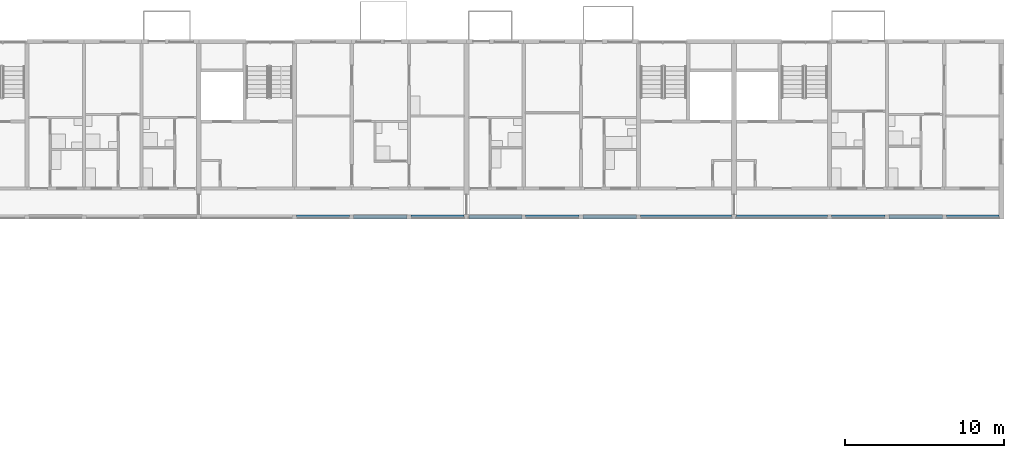
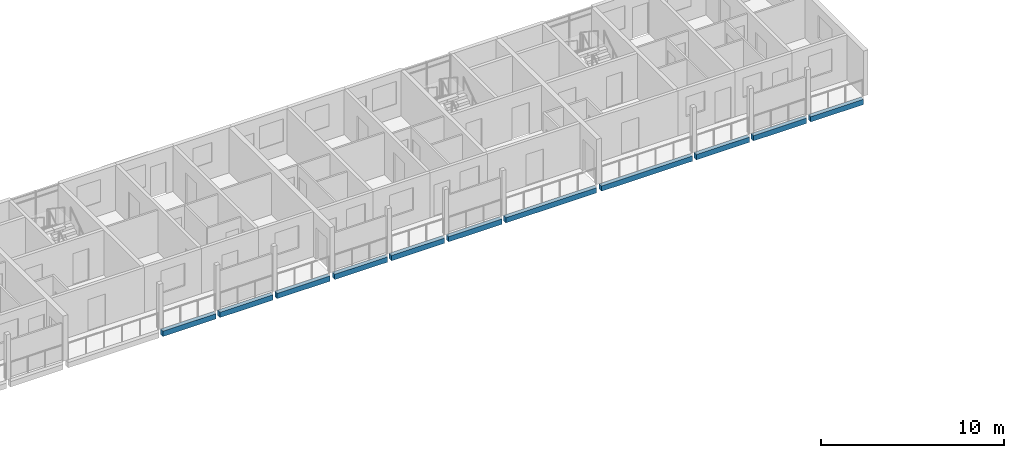
# One storey, part 18 of 93: 11 beams.
"""IFC4 building model written with IfcOpenShell, lengths in metres."""

from ifc_helpers import new_model, si_unit, direction, frame, origin, origin_2d, place, context, subcontext, project, spatial, rectangle, extrude, material, material_profile, profile_set, type_object, element, save


model = new_model("IFC4")

# Units and contexts
model_context = context("Model", 3, precision=1e-05, world=origin(), true_north=direction((0.0, 1.0)))
body_context = subcontext(model_context, "Body", "Model", "MODEL_VIEW")
ifc_project = project(units=[si_unit("LENGTHUNIT", "METRE"), si_unit("AREAUNIT", "SQUARE_METRE"), si_unit("VOLUMEUNIT", "CUBIC_METRE"), si_unit("PLANEANGLEUNIT", "RADIAN"), si_unit("MASSUNIT", "GRAM", prefix="KILO")], contexts=[model_context])

# Site, building, storey
site_placement = place(None, origin())
site = spatial("IfcSite", under=ifc_project, at=site_placement, CompositionType="ELEMENT")
building_placement = place(site_placement, origin())
building = spatial("IfcBuilding", under=site, at=building_placement, Name="Ridgestep Commons", CompositionType="ELEMENT")
storey_placement = place(building_placement, frame((0.0, 0.0, 18.0)))
storey = spatial("IfcBuildingStorey", under=building, at=storey_placement, Name="L06", CompositionType="ELEMENT", Elevation=18.0)

# Beams
ifc_material = material(Name="Precast concrete C40/50", Category="concrete")
ifc_material_profile = material_profile(ifc_material, rectangle(XDim=0.25, YDim=0.35009765625, at=origin_2d()), Name="PC 250x350")
ifc_profile_set = profile_set([ifc_material_profile], Name="Precast concrete C40/50")
beam_type = type_object("IfcBeamType", Name="Loggia edge beam 250 x 350", PredefinedType="SPANDREL", material=ifc_profile_set)
beam_1_placement = place(storey_placement, frame((203.324951171875, 66.125, -0.375), z_axis=(1.0, 0.0, 0.0), x_axis=(0.0, 1.0, 0.0)))
element("IfcBeam", 1, at=beam_1_placement, inside=storey, type_object=beam_type, Name="Loggia edge beam C4T3 L06", PredefinedType="SPANDREL", context=body_context, shape_type="SweptSolid", body=[
    extrude(rectangle(XDim=0.25, YDim=0.35009765625, at=origin_2d()), origin(), (0.0, 0.0, 1.0), 3.35009765625),
])
beam_2_placement = place(storey_placement, frame((206.925048828125, 66.125, -0.375), z_axis=(1.0, 0.0, 0.0), x_axis=(0.0, 1.0, 0.0)))
element("IfcBeam", 2, at=beam_2_placement, inside=storey, type_object=beam_type, Name="Loggia edge beam C4T2 L06", PredefinedType="SPANDREL", context=body_context, shape_type="SweptSolid", body=[
    extrude(rectangle(XDim=0.25, YDim=0.35009765625, at=origin_2d()), origin(), (0.0, 0.0, 1.0), 3.349853515625),
])
for number, where, z_axis, x_axis, name in (
    (3, (210.52490234375, 66.125, -0.375), (1.0, 0.0, 0.0), (0.0, 1.0, 0.0), "Loggia edge beam C4T1 L06"),
    (4, (214.14990234375, 66.125, -0.375), (1.0, 0.0, 0.0), (0.0, 1.0, 0.0), "Loggia edge beam C5T1 L06"),
):
    element("IfcBeam", number, at=place(storey_placement, frame(where, z_axis=z_axis, x_axis=x_axis)), inside=storey, type_object=beam_type, Name=name, PredefinedType="SPANDREL", context=body_context, shape_type="SweptSolid", body=[
        extrude(rectangle(XDim=0.25, YDim=0.35009765625, at=origin_2d()), origin(), (0.0, 0.0, 1.0), 3.3251953125),
    ])
beam_3_placement = place(storey_placement, frame((217.72509765625, 66.125, -0.375), z_axis=(1.0, 0.0, 0.0), x_axis=(0.0, 1.0, 0.0)))
element("IfcBeam", 5, at=beam_3_placement, inside=storey, type_object=beam_type, Name="Loggia edge beam C5T2 L06", PredefinedType="SPANDREL", context=body_context, shape_type="SweptSolid", body=[
    extrude(rectangle(XDim=0.25, YDim=0.35009765625, at=origin_2d()), origin(), (0.0, 0.0, 1.0), 3.349853515625),
])
beam_4_placement = place(storey_placement, frame((221.324951171875, 66.125, -0.375), z_axis=(1.0, 0.0, 0.0), x_axis=(0.0, 1.0, 0.0)))
element("IfcBeam", 6, at=beam_4_placement, inside=storey, type_object=beam_type, Name="Loggia edge beam C5T3 L06", PredefinedType="SPANDREL", context=body_context, shape_type="SweptSolid", body=[
    extrude(rectangle(XDim=0.25, YDim=0.35009765625, at=origin_2d()), origin(), (0.0, 0.0, 1.0), 3.35009765625),
])
beam_5_placement = place(storey_placement, frame((224.925048828125, 66.125, -0.375), z_axis=(1.0, 0.0, 0.0), x_axis=(0.0, 1.0, 0.0)))
element("IfcBeam", 7, at=beam_5_placement, inside=storey, type_object=beam_type, Name="Loggia edge beam C5C L06", PredefinedType="SPANDREL", context=body_context, shape_type="SweptSolid", body=[
    extrude(rectangle(XDim=0.25, YDim=0.35009765625, at=origin_2d()), origin(), (0.0, 0.0, 1.0), 5.724853515625),
])
beam_6_placement = place(storey_placement, frame((230.949951171875, 66.125, -0.375), z_axis=(1.0, 0.0, 0.0), x_axis=(0.0, 1.0, 0.0)))
element("IfcBeam", 8, at=beam_6_placement, inside=storey, type_object=beam_type, Name="Loggia edge beam C6C L06", PredefinedType="SPANDREL", context=body_context, shape_type="SweptSolid", body=[
    extrude(rectangle(XDim=0.25, YDim=0.35009765625, at=origin_2d()), origin(), (0.0, 0.0, 1.0), 5.72509765625),
])
beam_7_placement = place(storey_placement, frame((236.925048828125, 66.125, -0.375), z_axis=(1.0, 0.0, 0.0), x_axis=(0.0, 1.0, 0.0)))
element("IfcBeam", 9, at=beam_7_placement, inside=storey, type_object=beam_type, Name="Loggia edge beam C6T3 L06", PredefinedType="SPANDREL", context=body_context, shape_type="SweptSolid", body=[
    extrude(rectangle(XDim=0.25, YDim=0.35009765625, at=origin_2d()), origin(), (0.0, 0.0, 1.0), 3.349853515625),
])
beam_8_placement = place(storey_placement, frame((240.52490234375, 66.125, -0.375), z_axis=(1.0, 0.0, 0.0), x_axis=(0.0, 1.0, 0.0)))
element("IfcBeam", 10, at=beam_8_placement, inside=storey, type_object=beam_type, Name="Loggia edge beam C6T2 L06", PredefinedType="SPANDREL", context=body_context, shape_type="SweptSolid", body=[
    extrude(rectangle(XDim=0.25, YDim=0.35009765625, at=origin_2d()), origin(), (0.0, 0.0, 1.0), 3.35009765625),
])
beam_9_placement = place(storey_placement, frame((244.125, 66.125, -0.375), z_axis=(1.0, 0.0, 0.0), x_axis=(0.0, 1.0, 0.0)))
element("IfcBeam", 11, at=beam_9_placement, inside=storey, type_object=beam_type, Name="Loggia edge beam C6T1 L06", PredefinedType="SPANDREL", context=body_context, shape_type="SweptSolid", body=[
    extrude(rectangle(XDim=0.25, YDim=0.35009765625, at=origin_2d()), origin(), (0.0, 0.0, 1.0), 3.324951171875),
])

save(model, "model.ifc")
